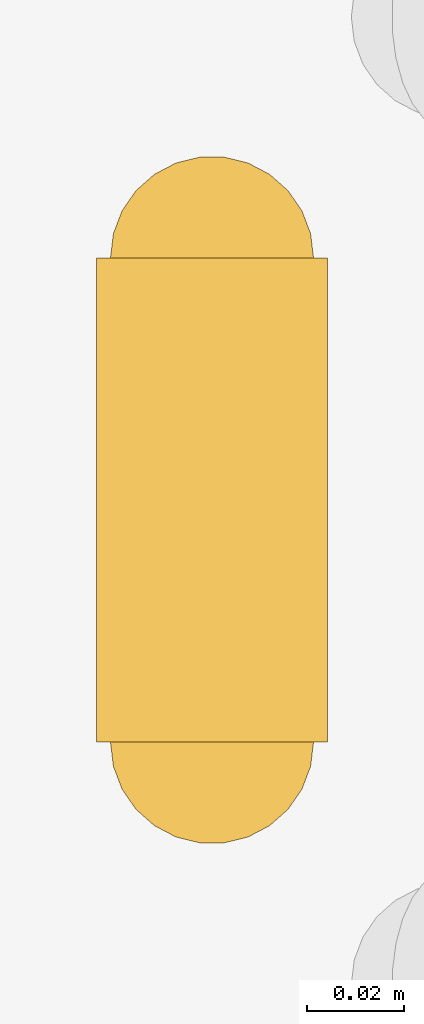
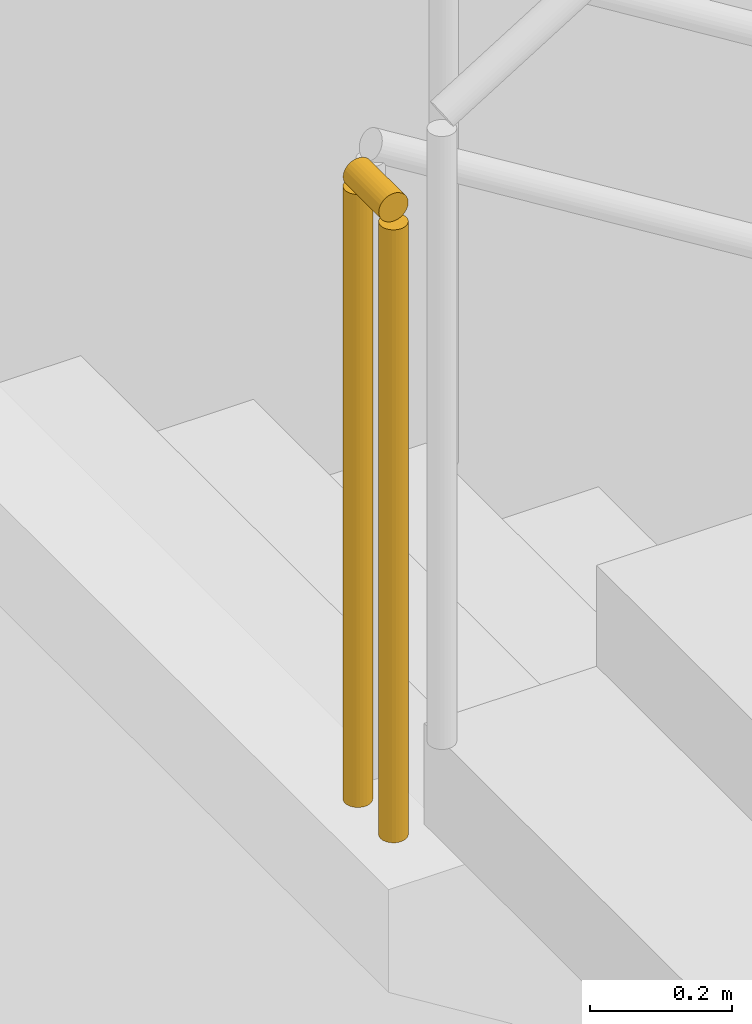
# One storey, part 18 of 23: 1 railing.
"""IFC4 building model written with IfcOpenShell, lengths in metres."""

from ifc_helpers import new_model, si_unit, direction, frame, origin, origin_2d, place, context, subcontext, project, spatial, circle, extrude, material, type_object, element, save


model = new_model("IFC4")

# Units and contexts
model_context = context("Model", 3, precision=1e-05, world=origin(), true_north=direction((0.0, 1.0)))
body_context = subcontext(model_context, "Body", "Model", "MODEL_VIEW")
ifc_project = project(units=[si_unit("LENGTHUNIT", "METRE"), si_unit("AREAUNIT", "SQUARE_METRE"), si_unit("VOLUMEUNIT", "CUBIC_METRE"), si_unit("PLANEANGLEUNIT", "RADIAN"), si_unit("MASSUNIT", "GRAM", prefix="KILO")], contexts=[model_context])

# Site, building, storey
site_placement = place(None, origin())
site = spatial("IfcSite", under=ifc_project, at=site_placement, CompositionType="ELEMENT")
building_placement = place(site_placement, origin())
building = spatial("IfcBuilding", under=site, at=building_placement, Name="Stone Belt Terrace Tower", CompositionType="ELEMENT")
storey_placement = place(building_placement, frame((0.0, 0.0, -4.5)))
storey = spatial("IfcBuildingStorey", under=building, at=storey_placement, Name="B1", CompositionType="ELEMENT", Elevation=-4.5)

# Railing
ifc_material = material(Name="Structural steel C345", Category="steel")
railing_type = type_object("IfcRailingType", Name="Car park guard 1100", PredefinedType="GUARDRAIL", material=ifc_material)
railing_placement = place(storey_placement, frame((27.340087890625, -48.64990234375, 2.25)))
element("IfcRailing", 1, at=railing_placement, inside=storey, type_object=railing_type, Name="B1 CS2 stair guard 2", PredefinedType="GUARDRAIL", context=body_context, shape_type="SweptSolid", body=[
    extrude(circle(Radius=0.02392578125, at=origin_2d()), frame((0.0, 0.0, 1.076171875), z_axis=(0.0, -1.0, 0.0), x_axis=(1.0, 0.0, 0.0)), (0.0, 0.0, 1.0), 0.10009765625),
    extrude(circle(Radius=0.02099609375, at=origin_2d()), origin(), (0.0, 0.0, 1.0), 1.052001953125),
    extrude(circle(Radius=0.02099609375, at=origin_2d()), frame((0.0, -0.10009765625, 0.0)), (0.0, 0.0, 1.0), 1.052001953125),
])

save(model, "model.ifc")
